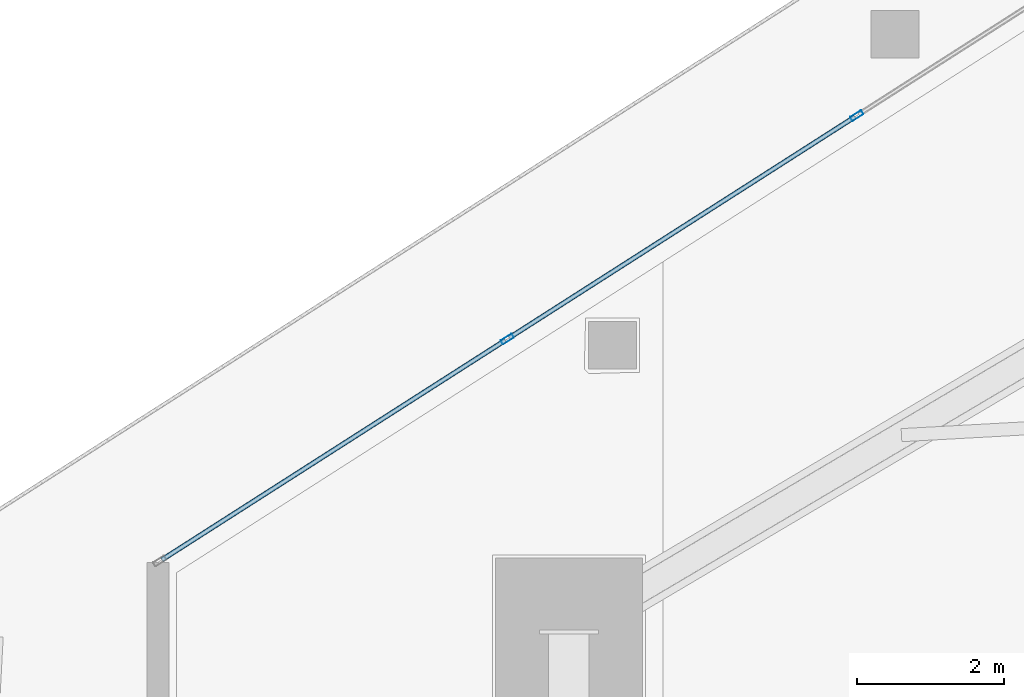
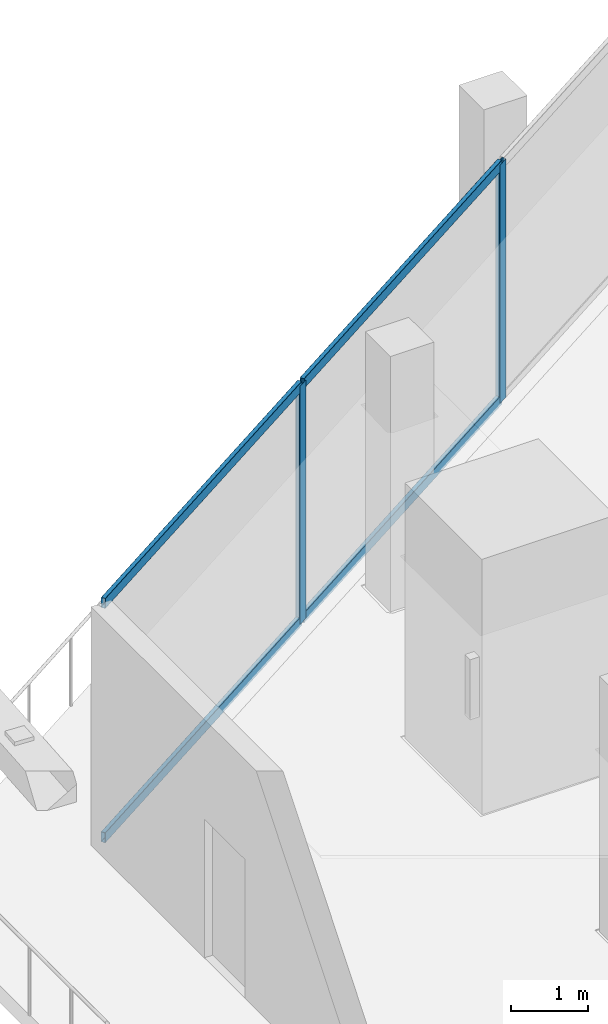
# One storey, part 15 of 39: 6 members, 1 element without a shape of its own.
"""IFC4 building model written with IfcOpenShell, lengths in metres."""

from ifc_helpers import new_model, si_unit, direction, frame, origin, origin_2d, place, context, subcontext, project, spatial, hollow_rectangle, extrude, material, layer, layer_set, material_profile, profile_set, type_object, element, aggregate, save


model = new_model("IFC4")

# Units and contexts
model_context = context("Model", 3, precision=1e-05, world=origin(), true_north=direction((0.0, 1.0)))
body_context = subcontext(model_context, "Body", "Model", "MODEL_VIEW")
ifc_project = project(units=[si_unit("LENGTHUNIT", "METRE"), si_unit("AREAUNIT", "SQUARE_METRE"), si_unit("VOLUMEUNIT", "CUBIC_METRE"), si_unit("PLANEANGLEUNIT", "RADIAN"), si_unit("MASSUNIT", "GRAM", prefix="KILO")], contexts=[model_context])

# Site, building, storey
site_placement = place(None, origin())
site = spatial("IfcSite", under=ifc_project, at=site_placement, CompositionType="ELEMENT")
building_placement = place(site_placement, origin())
building = spatial("IfcBuilding", under=site, at=building_placement, Name="Qorvath Tower", CompositionType="ELEMENT")
storey_placement = place(building_placement, frame((0.0, 0.0, 201.0)))
storey = spatial("IfcBuildingStorey", under=building, at=storey_placement, Name="L46", CompositionType="ELEMENT", Elevation=201.0)

# Curtain wall, members
ifc_material_1 = material(Name="Anodised aluminium and triple low-E glass", Category="aluminium")
ifc_layer = layer(ifc_material_1, 0.179931640625)
ifc_layer_set = layer_set([ifc_layer], Name="CW-SYS-3")
curtain_wall_type = type_object("IfcCurtainWallType", Name="CW-SYS-3", PredefinedType="NOTDEFINED", material=ifc_layer_set)
curtain_wall_placement = place(storey_placement, origin())
curtain_wall = element("IfcCurtainWall", 1, at=curtain_wall_placement, inside=storey, type_object=curtain_wall_type, Name="Curtain Wall CW-3 CW-T-L46-16.1", PredefinedType="NOTDEFINED")
ifc_material_2 = material(Name="Anodised aluminium 6063-T6", Category="aluminium")
ifc_material_profile_1 = material_profile(ifc_material_2, hollow_rectangle(XDim=0.06494140625, YDim=0.179931640625, WallThickness=0.00341796875, InnerFilletRadius=0.00341796875, OuterFilletRadius=0.007080078125, at=origin_2d()), Name="CWM 180x65")
ifc_profile_set_1 = profile_set([ifc_material_profile_1], Name="Anodised aluminium 6063-T6")
member_type_1 = type_object("IfcMemberType", Name="CWM-180", PredefinedType="MULLION", material=ifc_profile_set_1)
member_1_placement = place(storey_placement, frame((-45.2578125, 9.54638671875, 0.0), z_axis=(0.0, 0.0, 1.0), x_axis=(0.538533623725, -0.842604020948, 0.0)))
member_1 = element("IfcMember", 2, at=member_1_placement, type_object=member_type_1, Name="CW-3 mullion 7", PredefinedType="MULLION", context=body_context, shape_type="SweptSolid", body=[
    extrude(hollow_rectangle(XDim=0.06494140625, YDim=0.179931640625, WallThickness=0.00341796875, InnerFilletRadius=0.00341796875, OuterFilletRadius=0.007080078125, at=origin_2d()), origin(), (0.0, 0.0, 1.0), 3.780029296875),
])
member_2_placement = place(storey_placement, frame((-50.01025390625, 6.5087890625, 0.0), z_axis=(0.0, 0.0, 1.0), x_axis=(0.538533623725, -0.842604020948, 0.0)))
member_2 = element("IfcMember", 3, at=member_2_placement, type_object=member_type_1, Name="CW-3 mullion 8", PredefinedType="MULLION", context=body_context, shape_type="SweptSolid", body=[
    extrude(hollow_rectangle(XDim=0.06494140625, YDim=0.179931640625, WallThickness=0.00341796875, InnerFilletRadius=0.00341796875, OuterFilletRadius=0.007080078125, at=origin_2d()), origin(), (0.0, 0.0, 1.0), 3.780029296875),
])
ifc_material_3 = material(Name="Anodised aluminium 6063-T6", Category="aluminium")
ifc_material_profile_2 = material_profile(ifc_material_3, hollow_rectangle(XDim=0.06494140625, YDim=0.159912109375, WallThickness=0.00341796875, InnerFilletRadius=0.00341796875, OuterFilletRadius=0.007080078125, at=origin_2d()), Name="CWT 160x65")
ifc_profile_set_2 = profile_set([ifc_material_profile_2], Name="Anodised aluminium 6063-T6")
member_type_2 = type_object("IfcMemberType", Name="CWT-160", PredefinedType="USERDEFINED", material=ifc_profile_set_2)
member_3_placement = place(storey_placement, frame((-45.28515625, 9.52880859375, 0.032470703125), z_axis=(-0.842606844645, -0.538529205667, 0.0), x_axis=(0.538529205667, -0.842606844645, 0.0)))
member_3 = element("IfcMember", 4, at=member_3_placement, type_object=member_type_2, Name="CW-3 transom 7.1", ObjectType="TRANSOM", PredefinedType="USERDEFINED", context=body_context, shape_type="SweptSolid", body=[
    extrude(hollow_rectangle(XDim=0.06494140625, YDim=0.159912109375, WallThickness=0.00341796875, InnerFilletRadius=0.00341796875, OuterFilletRadius=0.007080078125, at=origin_2d()), origin(), (0.0, 0.0, 1.0), 5.5751953125),
])
member_4_placement = place(storey_placement, frame((-45.28515625, 9.52880859375, 3.74755859375), z_axis=(-0.842606844645, -0.538529205667, 0.0), x_axis=(0.538529205667, -0.842606844645, 0.0)))
member_4 = element("IfcMember", 5, at=member_4_placement, type_object=member_type_2, Name="CW-3 transom 7.2", ObjectType="TRANSOM", PredefinedType="USERDEFINED", context=body_context, shape_type="SweptSolid", body=[
    extrude(hollow_rectangle(XDim=0.06494140625, YDim=0.159912109375, WallThickness=0.00341796875, InnerFilletRadius=0.00341796875, OuterFilletRadius=0.007080078125, at=origin_2d()), origin(), (0.0, 0.0, 1.0), 5.5751953125),
])
member_5_placement = place(storey_placement, frame((-50.03759765625, 6.491455078125, 0.032470703125), z_axis=(-0.842595217297, -0.538547397903, 0.0), x_axis=(0.538547397903, -0.842595217297, 0.0)))
member_5 = element("IfcMember", 6, at=member_5_placement, type_object=member_type_2, Name="CW-3 transom 8.1", ObjectType="TRANSOM", PredefinedType="USERDEFINED", context=body_context, shape_type="SweptSolid", body=[
    extrude(hollow_rectangle(XDim=0.06494140625, YDim=0.159912109375, WallThickness=0.00341796875, InnerFilletRadius=0.00341796875, OuterFilletRadius=0.007080078125, at=origin_2d()), origin(), (0.0, 0.0, 1.0), 5.54296875),
])
member_6_placement = place(storey_placement, frame((-50.03759765625, 6.491455078125, 3.74755859375), z_axis=(-0.842595217297, -0.538547397903, 0.0), x_axis=(0.538547397903, -0.842595217297, 0.0)))
member_6 = element("IfcMember", 7, at=member_6_placement, type_object=member_type_2, Name="CW-3 transom 8.2", ObjectType="TRANSOM", PredefinedType="USERDEFINED", context=body_context, shape_type="SweptSolid", body=[
    extrude(hollow_rectangle(XDim=0.06494140625, YDim=0.159912109375, WallThickness=0.00341796875, InnerFilletRadius=0.00341796875, OuterFilletRadius=0.007080078125, at=origin_2d()), origin(), (0.0, 0.0, 1.0), 5.54296875),
])
aggregate(curtain_wall, [member_1, member_2, member_3, member_4, member_5, member_6])

save(model, "model.ifc")
